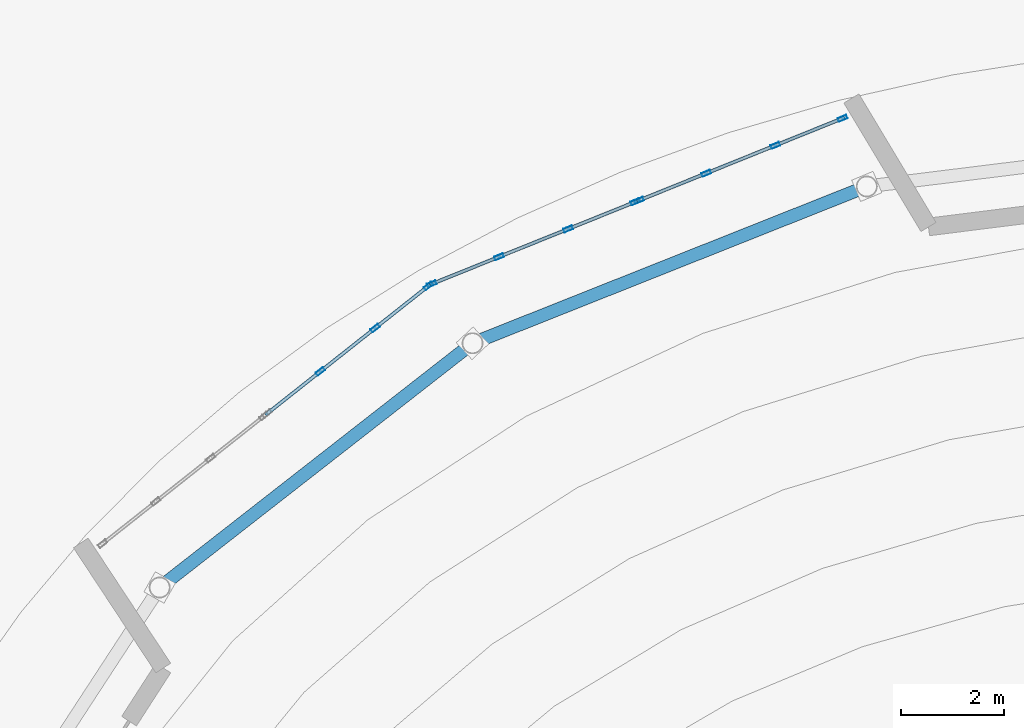
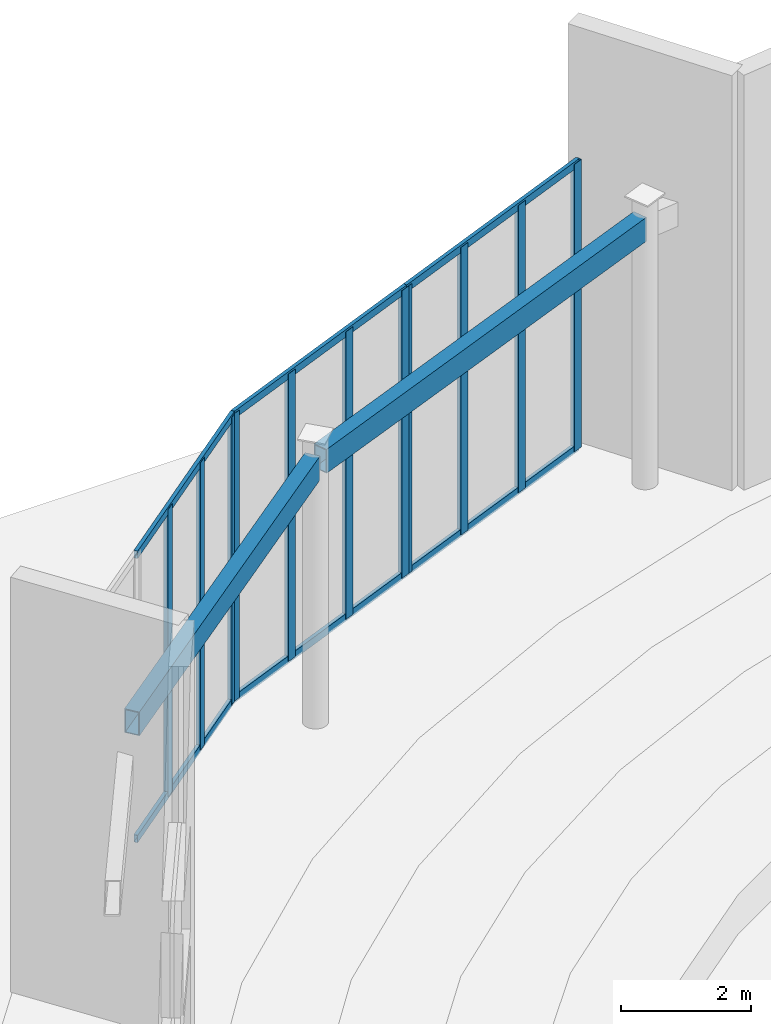
# One storey, part 39 of 94: 17 members, 2 beams, 3 elements without a shape of their own.
"""IFC4 building model written with IfcOpenShell, lengths in metres."""

import ifcopenshell
import ifcopenshell.guid

model = None  # the IFC model being written
_history = None  # IfcOwnerHistory: only IFC2X3 demands one
_inside = {}  # id of a spatial element -> (the spatial element, [elements in it])
_under = {}  # id of a project, library or spatial element -> (it, [spatial elements below it])
_declared = {}  # id of a project -> (the project, [libraries it declares])
_typed = {}  # id of a type object -> (the type object, [elements of that type])
_made_of = {}  # id of a material, layer set ... -> (it, [elements and type objects made of it])


def new_model(schema):
    """Start an empty IFC model of exactly this schema.

    Asked for "IFC4X3", IfcOpenShell would pick the latest addendum, in which some entities
    have other attributes; the version numbers below select the first issue.
    IFC2X3 requires an IfcOwnerHistory on every rooted entity: one is made here for all.
    """
    global model, _history
    if schema == "IFC4X3":
        model = ifcopenshell.file(schema_version=(4, 3, 0, 0))
    else:
        model = ifcopenshell.file(schema=schema)
    _inside.clear()
    _under.clear()
    _declared.clear()
    _typed.clear()
    _made_of.clear()
    _history = None
    if model.schema == "IFC2X3":
        org = make("IfcOrganization", Name="unknown")
        user = make(
            "IfcPersonAndOrganization",
            ThePerson=make("IfcPerson", FamilyName="unknown"),
            TheOrganization=org,
        )
        app = make(
            "IfcApplication",
            ApplicationDeveloper=org,
            Version="unknown",
            ApplicationFullName="unknown",
            ApplicationIdentifier="unknown",
        )
        _history = make(
            "IfcOwnerHistory",
            OwningUser=user,
            OwningApplication=app,
            ChangeAction="ADDED",
            CreationDate=0,
        )
    return model


def make(cls, **values):
    """One entity of the class cls with the attributes given. An attribute that is None is left unset."""
    return model.create_entity(
        cls, **{name: value for name, value in values.items() if value is not None}
    )


def rooted(cls, **values):
    """An entity with a GlobalId (a new one), such as an element, a storey or a relation."""
    return make(cls, GlobalId=ifcopenshell.guid.new(), OwnerHistory=_history, **values)


def si_unit(unit_type, name, prefix=None):
    """IfcSIUnit, for example si_unit("LENGTHUNIT", "METRE", prefix="MILLI")."""
    return make("IfcSIUnit", UnitType=unit_type, Prefix=prefix, Name=name)


def assignment(units):
    """IfcUnitAssignment: the units of a project."""
    return None if units is None else make("IfcUnitAssignment", Units=units)


def point(xyz):
    """IfcCartesianPoint."""
    return None if xyz is None else make("IfcCartesianPoint", Coordinates=xyz)


def direction(xyz):
    """IfcDirection."""
    return None if xyz is None else make("IfcDirection", DirectionRatios=xyz)


def frame(location, z_axis=None, x_axis=None):
    """IfcAxis2Placement3D, a coordinate frame: its origin and axes. An axis left out is left unset."""
    return make(
        "IfcAxis2Placement3D",
        Location=point(location),
        Axis=direction(z_axis),
        RefDirection=direction(x_axis),
    )


def frame_2d(location, x_axis=None):
    """IfcAxis2Placement2D, a coordinate frame in the plane: its origin and x axis."""
    return make(
        "IfcAxis2Placement2D", Location=point(location), RefDirection=direction(x_axis)
    )


def origin():
    """The frame at (0, 0, 0) with its axes left unset."""
    return frame((0.0, 0.0, 0.0))


def origin_2d():
    """The frame at (0, 0) in the plane with its x axis left unset."""
    return frame_2d((0.0, 0.0))


def place(relative_to, where):
    """IfcLocalPlacement: puts the frame where relative to a parent placement (None: the world)."""
    return make(
        "IfcLocalPlacement", PlacementRelTo=relative_to, RelativePlacement=where
    )


def context(
    kind, dimensions, precision=None, world=None, true_north=None, identifier=None
):
    """IfcGeometricRepresentationContext, for example the 3D "Model" context."""
    return make(
        "IfcGeometricRepresentationContext",
        ContextIdentifier=identifier,
        ContextType=kind,
        CoordinateSpaceDimension=dimensions,
        Precision=precision,
        WorldCoordinateSystem=world,
        TrueNorth=true_north,
    )


def subcontext(parent, identifier, kind, view, scale=None):
    """IfcGeometricRepresentationSubContext, for example "Body" below "Model"."""
    return make(
        "IfcGeometricRepresentationSubContext",
        ContextIdentifier=identifier,
        ContextType=kind,
        ParentContext=parent,
        TargetScale=scale,
        TargetView=view,
    )


def project(units=None, contexts=None):
    """IfcProject with its units and contexts."""
    return rooted(
        "IfcProject",
        Name="project",
        RepresentationContexts=contexts,
        UnitsInContext=assignment(units),
    )


def spatial(cls, under=None, at=None, **own):
    """A site, building, storey or space (cls), placed at a placement, below another one or the project."""
    s = rooted(cls, ObjectPlacement=at, **own)
    if under is not None:
        _under.setdefault(under.id(), (under, []))[1].append(s)
    return s


def profile(cls, at=None, kind="AREA", **sizes):
    """A parametric profile (cls). Its sizes go by their IFC names, for example OverallWidth=200.0."""
    return make(cls, ProfileType=kind, Position=at, **sizes)


def hollow_rectangle(**sizes):
    """IfcRectangleHollowProfileDef."""
    return profile("IfcRectangleHollowProfileDef", **sizes)


def extrude(swept, where, along, depth):
    """IfcExtrudedAreaSolid: the profile swept, set in the frame where, extruded along a direction by depth."""
    return make(
        "IfcExtrudedAreaSolid",
        SweptArea=swept,
        Position=where,
        ExtrudedDirection=direction(along),
        Depth=depth,
    )


def shape(context_of_items, identifier, shape_type, items):
    """IfcShapeRepresentation: the items that make up one representation, for example the "Body"."""
    return make(
        "IfcShapeRepresentation",
        ContextOfItems=context_of_items,
        RepresentationIdentifier=identifier,
        RepresentationType=shape_type,
        Items=items,
    )


def material(Name=None, Category=None):
    """IfcMaterial."""
    return make("IfcMaterial", Name=Name, Category=Category)


def layer(
    of_material, thickness, ventilated=None, Name=None, Category=None, Priority=None
):
    """IfcMaterialLayer: one layer of a wall or slab, of a material (None: an air gap)."""
    return make(
        "IfcMaterialLayer",
        Material=of_material,
        LayerThickness=thickness,
        IsVentilated=ventilated,
        Name=Name,
        Category=Category,
        Priority=Priority,
    )


def layer_set(layers, Name=None):
    """IfcMaterialLayerSet."""
    return make("IfcMaterialLayerSet", MaterialLayers=layers, LayerSetName=Name)


def material_profile(
    of_material, cross_section, Name=None, Category=None, Priority=None
):
    """IfcMaterialProfile: a cross section and its material."""
    return make(
        "IfcMaterialProfile",
        Name=Name,
        Material=of_material,
        Profile=cross_section,
        Priority=Priority,
        Category=Category,
    )


def profile_set(profiles, Name=None, composite=None):
    """IfcMaterialProfileSet."""
    return make(
        "IfcMaterialProfileSet",
        Name=Name,
        MaterialProfiles=profiles,
        CompositeProfile=composite,
    )


def made_of(thing, what):
    """Note that an element or type object is made of a material, layer set ...; save() writes the relation."""
    if what is not None:
        _made_of.setdefault(what.id(), (what, []))[1].append(thing)
    return thing


def type_object(cls, material=None, **own):
    """A type object (cls), such as IfcWallType, which elements share."""
    return made_of(rooted(cls, **own), material)


def element(
    cls,
    number,
    at=None,
    inside=None,
    cuts=None,
    type_object=None,
    material=None,
    context=None,
    identifier="Body",
    shape_type=None,
    held_by="IfcProductDefinitionShape",
    body=None,
    shapes=None,
    **own,
):
    """One element of the class cls, such as IfcWall. Its Tag is "e" and its number.

    at: its placement. inside: the storey or other place that contains it. cuts: it is an
    opening in that element (IfcRelVoidsElement). A single representation is given by context,
    identifier, shape_type and body (its items); several are given by shapes. held_by: the class
    of the entity that holds the representations. save() writes the other relations.
    """
    e = rooted(cls, Tag="e%d" % number, ObjectPlacement=at, **own)
    if body is not None:
        shapes = [shape(context, identifier, shape_type, body)]
    if shapes is not None:
        e.Representation = make(held_by, Representations=shapes)
    if inside is not None:
        _inside.setdefault(inside.id(), (inside, []))[1].append(e)
    if cuts is not None:
        rooted(
            "IfcRelVoidsElement", RelatingBuildingElement=cuts, RelatedOpeningElement=e
        )
    if type_object is not None:
        _typed.setdefault(type_object.id(), (type_object, []))[1].append(e)
    return made_of(e, material)


def aggregate(whole, parts):
    """IfcRelAggregates: a whole, such as a stair, and the parts it consists of."""
    return rooted("IfcRelAggregates", RelatingObject=whole, RelatedObjects=parts)


def save(model, path):
    """Write the relations noted so far, then the file.

    IfcRelAggregates (storeys below a building ...), IfcRelContainedInSpatialStructure (elements
    in a storey), IfcRelDefinesByType, IfcRelAssociatesMaterial and IfcRelDeclares: one each for
    every whole, place, type object, material and project.
    """
    for whole, parts in _under.values():
        aggregate(whole, parts)
    for where, things in _inside.values():
        rooted(
            "IfcRelContainedInSpatialStructure",
            RelatedElements=things,
            RelatingStructure=where,
        )
    for kind, things in _typed.values():
        rooted("IfcRelDefinesByType", RelatedObjects=things, RelatingType=kind)
    for what, things in _made_of.values():
        rooted("IfcRelAssociatesMaterial", RelatedObjects=things, RelatingMaterial=what)
    for by, libraries in _declared.values():
        rooted("IfcRelDeclares", RelatingContext=by, RelatedDefinitions=libraries)
    model.write(path)


model = new_model("IFC4")

# Units and contexts
model_context = context("Model", 3, precision=1e-05, world=origin(), true_north=direction((0.0, 1.0)))
body_context = subcontext(model_context, "Body", "Model", "MODEL_VIEW")
ifc_project = project(units=[si_unit("LENGTHUNIT", "METRE"), si_unit("AREAUNIT", "SQUARE_METRE"), si_unit("VOLUMEUNIT", "CUBIC_METRE"), si_unit("PLANEANGLEUNIT", "RADIAN"), si_unit("MASSUNIT", "GRAM", prefix="KILO")], contexts=[model_context])

# Site, building, storey
site_placement = place(None, origin())
site = spatial("IfcSite", under=ifc_project, at=site_placement, CompositionType="ELEMENT")
building_placement = place(site_placement, origin())
building = spatial("IfcBuilding", under=site, at=building_placement, Name="Sollismere Congress Hotel", CompositionType="ELEMENT")
storey_placement = place(building_placement, origin())
storey = spatial("IfcBuildingStorey", under=building, at=storey_placement, Name="L00", CompositionType="ELEMENT", Elevation=0.0)

# Beams
ifc_material_1 = material(Name="Steel ASTM A500 Grade C", Category="steel")
ifc_material_profile_1 = material_profile(ifc_material_1, hollow_rectangle(XDim=0.25, YDim=0.449951171875, WallThickness=0.01611328125, at=origin_2d()), Name="HSS450X250X16")
ifc_profile_set_1 = profile_set([ifc_material_profile_1], Name="Steel ASTM A500 Grade C")
beam_type = type_object("IfcBeamType", Name="BM-BX450", PredefinedType="HOLLOWCORE", material=ifc_profile_set_1)
beam_1_placement = place(storey_placement, frame((20.43701171875, 110.66064453125, 4.889892578125), z_axis=(-0.92919785881, -0.369582655414, 0.0), x_axis=(0.369582655414, -0.92919785881, 0.0)))
element("IfcBeam", 1, at=beam_1_placement, inside=storey, type_object=beam_type, Name="Beam BM-L00-4172", PredefinedType="HOLLOWCORE", context=body_context, shape_type="SweptSolid", body=[
    extrude(hollow_rectangle(XDim=0.25, YDim=0.449951171875, WallThickness=0.01611328125, at=origin_2d()), origin(), (0.0, 0.0, 1.0), 7.96533203125),
])
beam_2_placement = place(storey_placement, frame((12.82958984375, 107.5986328125, 4.889892578125), z_axis=(-0.788263734949, -0.615337536775, 0.0), x_axis=(0.615337536775, -0.788263734949, 0.0)))
element("IfcBeam", 2, at=beam_2_placement, inside=storey, type_object=beam_type, Name="Beam BM-L00-4173", PredefinedType="HOLLOWCORE", context=body_context, shape_type="SweptSolid", body=[
    extrude(hollow_rectangle(XDim=0.25, YDim=0.449951171875, WallThickness=0.01611328125, at=origin_2d()), origin(), (0.0, 0.0, 1.0), 7.43603515625),
])

# Curtain wall, members
ifc_material_2 = material(Name="Anodized Bronze Curtain Wall & Low-E Triple Glazing", Category="glass")
ifc_layer = layer(ifc_material_2, 0.199951171875, Name="Anodized Bronze Curtain Wall & Low-E Triple Glazing")
ifc_layer_set = layer_set([ifc_layer], Name="Anodized Bronze Curtain Wall & Low-E Triple Glazing")
curtain_wall_type = type_object("IfcCurtainWallType", Name="CW-GLZ36", PredefinedType="USERDEFINED", material=ifc_layer_set)
curtain_wall_1_placement = place(storey_placement, origin())
curtain_wall_1 = element("IfcCurtainWall", 3, at=curtain_wall_1_placement, inside=storey, type_object=curtain_wall_type, Name="Unitised curtain wall CW-L00-021", ObjectType="UNITISED CURTAIN WALL", PredefinedType="USERDEFINED")
ifc_material_3 = material(Name="Anodized Aluminum 6063-T6", Category="aluminium")
ifc_material_profile_2 = material_profile(ifc_material_3, hollow_rectangle(XDim=0.074951171875, YDim=0.179931640625, WallThickness=0.0048828125, at=origin_2d()), Name="ALU180X75X5")
ifc_profile_set_2 = profile_set([ifc_material_profile_2], Name="Anodized Aluminum 6063-T6")
member_type_1 = type_object("IfcMemberType", Name="ML-CW180", PredefinedType="MULLION", material=ifc_profile_set_2)
member_1_placement = place(storey_placement, frame((20.08056640625, 112.022216796875, 0.0), z_axis=(0.0, 0.0, 1.0), x_axis=(0.373943018709, -0.927451680013, 0.0)))
member_1 = element("IfcMember", 4, at=member_1_placement, type_object=member_type_1, Name="CWL-CW-L00-021-ML01", PredefinedType="MULLION", context=body_context, shape_type="SweptSolid", body=[
    extrude(hollow_rectangle(XDim=0.074951171875, YDim=0.179931640625, WallThickness=0.0048828125, at=origin_2d()), origin(), (0.0, 0.0, 1.0), 5.419921875),
])
member_2_placement = place(storey_placement, frame((18.780029296875, 111.497802734375, 0.0), z_axis=(0.0, 0.0, 1.0), x_axis=(0.373943018709, -0.927451680013, 0.0)))
member_2 = element("IfcMember", 5, at=member_2_placement, type_object=member_type_1, Name="CWL-CW-L00-021-ML02", PredefinedType="MULLION", context=body_context, shape_type="SweptSolid", body=[
    extrude(hollow_rectangle(XDim=0.074951171875, YDim=0.179931640625, WallThickness=0.0048828125, at=origin_2d()), origin(), (0.0, 0.0, 1.0), 5.419921875),
])
member_3_placement = place(storey_placement, frame((17.4443359375, 110.95947265625, 0.0), z_axis=(0.0, 0.0, 1.0), x_axis=(0.373943018709, -0.927451680013, 0.0)))
member_3 = element("IfcMember", 6, at=member_3_placement, type_object=member_type_1, Name="CWL-CW-L00-021-ML03", PredefinedType="MULLION", context=body_context, shape_type="SweptSolid", body=[
    extrude(hollow_rectangle(XDim=0.074951171875, YDim=0.179931640625, WallThickness=0.0048828125, at=origin_2d()), origin(), (0.0, 0.0, 1.0), 5.419921875),
])
member_4_placement = place(storey_placement, frame((16.143798828125, 110.43505859375, 0.0), z_axis=(0.0, 0.0, 1.0), x_axis=(0.373943018709, -0.927451680013, 0.0)))
member_4 = element("IfcMember", 7, at=member_4_placement, type_object=member_type_1, Name="CWL-CW-L00-021-ML04", PredefinedType="MULLION", context=body_context, shape_type="SweptSolid", body=[
    extrude(hollow_rectangle(XDim=0.074951171875, YDim=0.179931640625, WallThickness=0.0048828125, at=origin_2d()), origin(), (0.0, 0.0, 1.0), 5.419921875),
])

curtain_wall_2_placement = place(storey_placement, origin())
curtain_wall_2 = element("IfcCurtainWall", 8, at=curtain_wall_2_placement, inside=storey, type_object=curtain_wall_type, Name="Unitised curtain wall CW-L00-022", ObjectType="UNITISED CURTAIN WALL", PredefinedType="USERDEFINED")
member_5_placement = place(storey_placement, frame((16.0732421875, 110.406494140625, 0.0), z_axis=(0.0, 0.0, 1.0), x_axis=(0.373943018709, -0.927451680013, 0.0)))
member_5 = element("IfcMember", 9, at=member_5_placement, type_object=member_type_1, Name="CWL-CW-L00-022-ML01", PredefinedType="MULLION", context=body_context, shape_type="SweptSolid", body=[
    extrude(hollow_rectangle(XDim=0.074951171875, YDim=0.179931640625, WallThickness=0.0048828125, at=origin_2d()), origin(), (0.0, 0.0, 1.0), 5.419921875),
])
member_6_placement = place(storey_placement, frame((14.772705078125, 109.882080078125, 0.0), z_axis=(0.0, 0.0, 1.0), x_axis=(0.373943018709, -0.927451680013, 0.0)))
member_6 = element("IfcMember", 10, at=member_6_placement, type_object=member_type_1, Name="CWL-CW-L00-022-ML02", PredefinedType="MULLION", context=body_context, shape_type="SweptSolid", body=[
    extrude(hollow_rectangle(XDim=0.074951171875, YDim=0.179931640625, WallThickness=0.0048828125, at=origin_2d()), origin(), (0.0, 0.0, 1.0), 5.419921875),
])
member_7_placement = place(storey_placement, frame((13.43701171875, 109.34375, 0.0), z_axis=(0.0, 0.0, 1.0), x_axis=(0.373943018709, -0.927451680013, 0.0)))
member_7 = element("IfcMember", 11, at=member_7_placement, type_object=member_type_1, Name="CWL-CW-L00-022-ML03", PredefinedType="MULLION", context=body_context, shape_type="SweptSolid", body=[
    extrude(hollow_rectangle(XDim=0.074951171875, YDim=0.179931640625, WallThickness=0.0048828125, at=origin_2d()), origin(), (0.0, 0.0, 1.0), 5.419921875),
])
member_8_placement = place(storey_placement, frame((12.136474609375, 108.8193359375, 0.0), z_axis=(0.0, 0.0, 1.0), x_axis=(0.373943018709, -0.927451680013, 0.0)))
member_8 = element("IfcMember", 12, at=member_8_placement, type_object=member_type_1, Name="CWL-CW-L00-022-ML04", PredefinedType="MULLION", context=body_context, shape_type="SweptSolid", body=[
    extrude(hollow_rectangle(XDim=0.074951171875, YDim=0.179931640625, WallThickness=0.0048828125, at=origin_2d()), origin(), (0.0, 0.0, 1.0), 5.419921875),
])

curtain_wall_3_placement = place(storey_placement, origin())
curtain_wall_3 = element("IfcCurtainWall", 13, at=curtain_wall_3_placement, inside=storey, type_object=curtain_wall_type, Name="Unitised curtain wall CW-L00-027", ObjectType="UNITISED CURTAIN WALL", PredefinedType="USERDEFINED")
member_9_placement = place(storey_placement, frame((12.0712890625, 108.781494140625, 0.0), z_axis=(0.0, 0.0, 1.0), x_axis=(0.620532077362, -0.784181063891, 0.0)))
member_9 = element("IfcMember", 14, at=member_9_placement, type_object=member_type_1, Name="CWL-CW-L00-027-ML01", PredefinedType="MULLION", context=body_context, shape_type="SweptSolid", body=[
    extrude(hollow_rectangle(XDim=0.074951171875, YDim=0.179931640625, WallThickness=0.0048828125, at=origin_2d()), origin(), (0.0, 0.0, 1.0), 5.419921875),
])
member_10_placement = place(storey_placement, frame((11.041015625, 107.96630859375, 0.0), z_axis=(0.0, 0.0, 1.0), x_axis=(0.620532077362, -0.784181063891, 0.0)))
member_10 = element("IfcMember", 15, at=member_10_placement, type_object=member_type_1, Name="CWL-CW-L00-027-ML02", PredefinedType="MULLION", context=body_context, shape_type="SweptSolid", body=[
    extrude(hollow_rectangle(XDim=0.074951171875, YDim=0.179931640625, WallThickness=0.0048828125, at=origin_2d()), origin(), (0.0, 0.0, 1.0), 5.419921875),
])
member_11_placement = place(storey_placement, frame((9.981201171875, 107.12744140625, 0.0), z_axis=(0.0, 0.0, 1.0), x_axis=(0.620532077362, -0.784181063891, 0.0)))
member_11 = element("IfcMember", 16, at=member_11_placement, type_object=member_type_1, Name="CWL-CW-L00-027-ML03", PredefinedType="MULLION", context=body_context, shape_type="SweptSolid", body=[
    extrude(hollow_rectangle(XDim=0.074951171875, YDim=0.179931640625, WallThickness=0.0048828125, at=origin_2d()), origin(), (0.0, 0.0, 1.0), 5.419921875),
])

# Member
ifc_material_profile_3 = material_profile(ifc_material_3, hollow_rectangle(XDim=0.06494140625, YDim=0.139892578125, WallThickness=0.00390625, at=origin_2d()), Name="ALU140X65X4")
ifc_profile_set_3 = profile_set([ifc_material_profile_3], Name="Anodized Aluminum 6063-T6")
member_type_2 = type_object("IfcMemberType", Name="TR-CW150", PredefinedType="MEMBER", material=ifc_profile_set_3)
member_12_placement = place(storey_placement, frame((20.11572265625, 112.03662109375, 0.032470703125), z_axis=(-0.927452218611, -0.373941682878, 0.0), x_axis=(0.373941682878, -0.927452218611, 0.0)))
member_12 = element("IfcMember", 17, at=member_12_placement, type_object=member_type_2, Name="CWL-CW-L00-021-TR1", PredefinedType="MEMBER", context=body_context, shape_type="SweptSolid", body=[
    extrude(hollow_rectangle(XDim=0.06494140625, YDim=0.139892578125, WallThickness=0.00390625, at=origin_2d()), origin(), (0.0, 0.0, 1.0), 4.32080078125),
])

member_13_placement = place(storey_placement, frame((20.11572265625, 112.03662109375, 5.387451171875), z_axis=(-0.927452218611, -0.373941682878, 0.0), x_axis=(0.373941682878, -0.927452218611, 0.0)))
member_13 = element("IfcMember", 18, at=member_13_placement, type_object=member_type_2, Name="CWL-CW-L00-021-TR2", PredefinedType="MEMBER", context=body_context, shape_type="SweptSolid", body=[
    extrude(hollow_rectangle(XDim=0.06494140625, YDim=0.139892578125, WallThickness=0.00390625, at=origin_2d()), origin(), (0.0, 0.0, 1.0), 4.32080078125),
])

aggregate(curtain_wall_1, [member_1, member_2, member_3, member_4, member_12, member_13])

member_14_placement = place(storey_placement, frame((16.1083984375, 110.4208984375, 0.032470703125), z_axis=(-0.927444316939, -0.373961280052, 0.0), x_axis=(0.373961280052, -0.927444316939, 0.0)))
member_14 = element("IfcMember", 19, at=member_14_placement, type_object=member_type_2, Name="CWL-CW-L00-022-TR1", PredefinedType="MEMBER", context=body_context, shape_type="SweptSolid", body=[
    extrude(hollow_rectangle(XDim=0.06494140625, YDim=0.139892578125, WallThickness=0.00390625, at=origin_2d()), origin(), (0.0, 0.0, 1.0), 4.320556640625),
])

member_15_placement = place(storey_placement, frame((16.1083984375, 110.4208984375, 5.387451171875), z_axis=(-0.927444316939, -0.373961280052, 0.0), x_axis=(0.373961280052, -0.927444316939, 0.0)))
member_15 = element("IfcMember", 20, at=member_15_placement, type_object=member_type_2, Name="CWL-CW-L00-022-TR2", PredefinedType="MEMBER", context=body_context, shape_type="SweptSolid", body=[
    extrude(hollow_rectangle(XDim=0.06494140625, YDim=0.139892578125, WallThickness=0.00390625, at=origin_2d()), origin(), (0.0, 0.0, 1.0), 4.320556640625),
])

aggregate(curtain_wall_2, [member_5, member_6, member_7, member_8, member_14, member_15])

member_16_placement = place(storey_placement, frame((12.101318359375, 108.80517578125, 0.032470703125), z_axis=(-0.784193501486, -0.620516359355, 0.0), x_axis=(0.620516359355, -0.784193501486, 0.0)))
member_16 = element("IfcMember", 21, at=member_16_placement, type_object=member_type_2, Name="CWL-CW-L00-027-TR1", PredefinedType="MEMBER", context=body_context, shape_type="SweptSolid", body=[
    extrude(hollow_rectangle(XDim=0.06494140625, YDim=0.139892578125, WallThickness=0.00390625, at=origin_2d()), origin(), (0.0, 0.0, 1.0), 4.0556640625),
])

member_17_placement = place(storey_placement, frame((12.101318359375, 108.80517578125, 5.387451171875), z_axis=(-0.784193501486, -0.620516359355, 0.0), x_axis=(0.620516359355, -0.784193501486, 0.0)))
member_17 = element("IfcMember", 22, at=member_17_placement, type_object=member_type_2, Name="CWL-CW-L00-027-TR2", PredefinedType="MEMBER", context=body_context, shape_type="SweptSolid", body=[
    extrude(hollow_rectangle(XDim=0.06494140625, YDim=0.139892578125, WallThickness=0.00390625, at=origin_2d()), origin(), (0.0, 0.0, 1.0), 4.0556640625),
])

aggregate(curtain_wall_3, [member_9, member_10, member_11, member_16, member_17])

save(model, "model.ifc")
